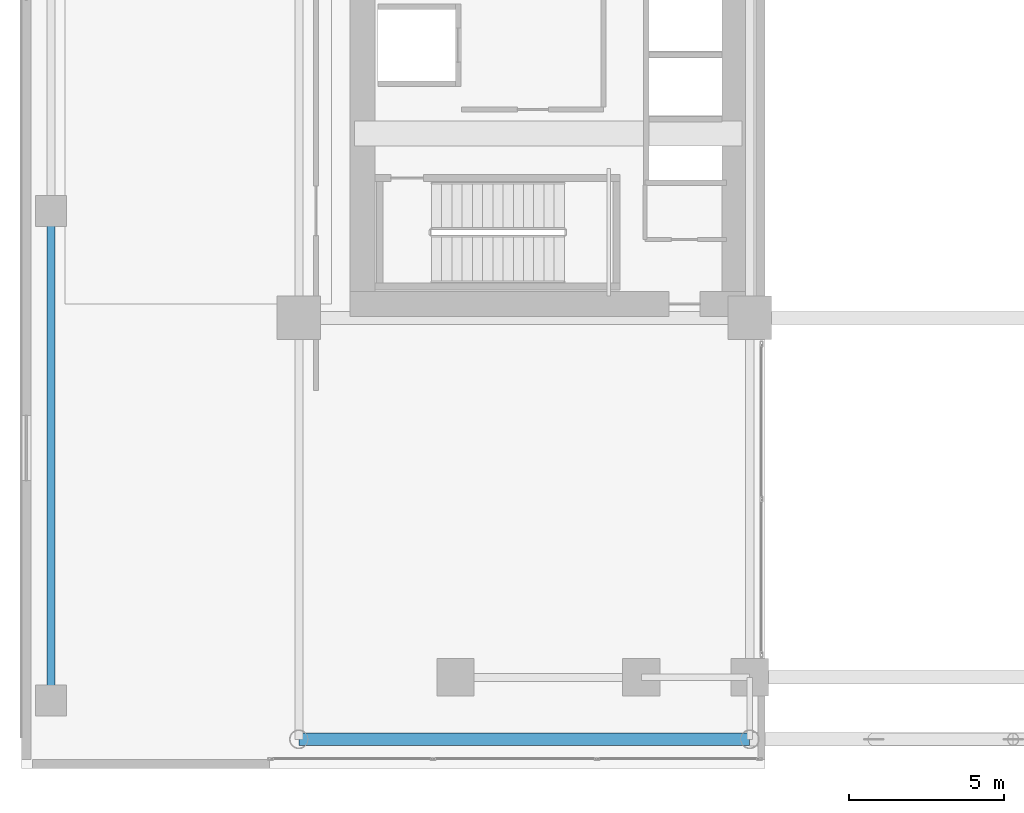
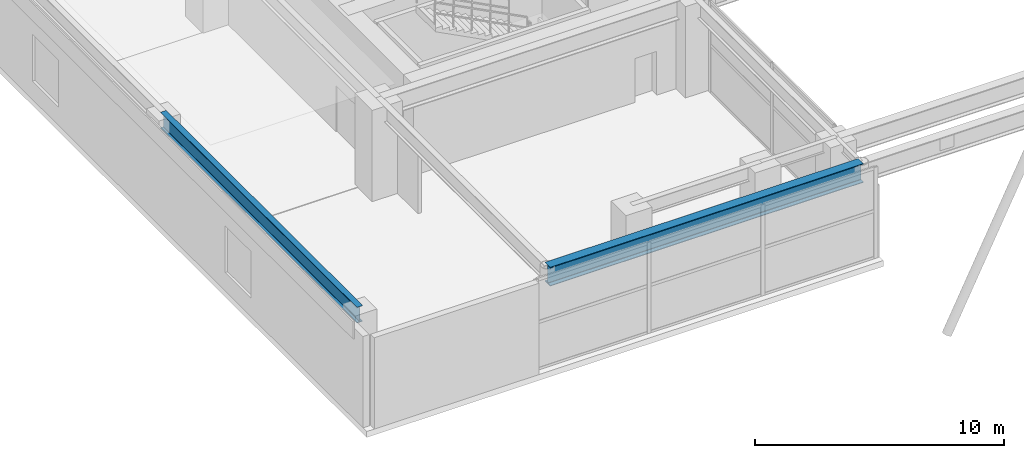
# One storey, part 4 of 30: 2 beams.
"""IFC4 building model written with IfcOpenShell, lengths in metres."""

import ifcopenshell
import ifcopenshell.guid

model = None  # the IFC model being written
_history = None  # IfcOwnerHistory: only IFC2X3 demands one
_inside = {}  # id of a spatial element -> (the spatial element, [elements in it])
_under = {}  # id of a project, library or spatial element -> (it, [spatial elements below it])
_declared = {}  # id of a project -> (the project, [libraries it declares])
_typed = {}  # id of a type object -> (the type object, [elements of that type])
_made_of = {}  # id of a material, layer set ... -> (it, [elements and type objects made of it])


def new_model(schema):
    """Start an empty IFC model of exactly this schema.

    Asked for "IFC4X3", IfcOpenShell would pick the latest addendum, in which some entities
    have other attributes; the version numbers below select the first issue.
    IFC2X3 requires an IfcOwnerHistory on every rooted entity: one is made here for all.
    """
    global model, _history
    if schema == "IFC4X3":
        model = ifcopenshell.file(schema_version=(4, 3, 0, 0))
    else:
        model = ifcopenshell.file(schema=schema)
    _inside.clear()
    _under.clear()
    _declared.clear()
    _typed.clear()
    _made_of.clear()
    _history = None
    if model.schema == "IFC2X3":
        org = make("IfcOrganization", Name="unknown")
        user = make(
            "IfcPersonAndOrganization",
            ThePerson=make("IfcPerson", FamilyName="unknown"),
            TheOrganization=org,
        )
        app = make(
            "IfcApplication",
            ApplicationDeveloper=org,
            Version="unknown",
            ApplicationFullName="unknown",
            ApplicationIdentifier="unknown",
        )
        _history = make(
            "IfcOwnerHistory",
            OwningUser=user,
            OwningApplication=app,
            ChangeAction="ADDED",
            CreationDate=0,
        )
    return model


def make(cls, **values):
    """One entity of the class cls with the attributes given. An attribute that is None is left unset."""
    return model.create_entity(
        cls, **{name: value for name, value in values.items() if value is not None}
    )


def rooted(cls, **values):
    """An entity with a GlobalId (a new one), such as an element, a storey or a relation."""
    return make(cls, GlobalId=ifcopenshell.guid.new(), OwnerHistory=_history, **values)


def si_unit(unit_type, name, prefix=None):
    """IfcSIUnit, for example si_unit("LENGTHUNIT", "METRE", prefix="MILLI")."""
    return make("IfcSIUnit", UnitType=unit_type, Prefix=prefix, Name=name)


def assignment(units):
    """IfcUnitAssignment: the units of a project."""
    return None if units is None else make("IfcUnitAssignment", Units=units)


def point(xyz):
    """IfcCartesianPoint."""
    return None if xyz is None else make("IfcCartesianPoint", Coordinates=xyz)


def direction(xyz):
    """IfcDirection."""
    return None if xyz is None else make("IfcDirection", DirectionRatios=xyz)


def frame(location, z_axis=None, x_axis=None):
    """IfcAxis2Placement3D, a coordinate frame: its origin and axes. An axis left out is left unset."""
    return make(
        "IfcAxis2Placement3D",
        Location=point(location),
        Axis=direction(z_axis),
        RefDirection=direction(x_axis),
    )


def frame_2d(location, x_axis=None):
    """IfcAxis2Placement2D, a coordinate frame in the plane: its origin and x axis."""
    return make(
        "IfcAxis2Placement2D", Location=point(location), RefDirection=direction(x_axis)
    )


def origin():
    """The frame at (0, 0, 0) with its axes left unset."""
    return frame((0.0, 0.0, 0.0))


def origin_2d():
    """The frame at (0, 0) in the plane with its x axis left unset."""
    return frame_2d((0.0, 0.0))


def place(relative_to, where):
    """IfcLocalPlacement: puts the frame where relative to a parent placement (None: the world)."""
    return make(
        "IfcLocalPlacement", PlacementRelTo=relative_to, RelativePlacement=where
    )


def context(
    kind, dimensions, precision=None, world=None, true_north=None, identifier=None
):
    """IfcGeometricRepresentationContext, for example the 3D "Model" context."""
    return make(
        "IfcGeometricRepresentationContext",
        ContextIdentifier=identifier,
        ContextType=kind,
        CoordinateSpaceDimension=dimensions,
        Precision=precision,
        WorldCoordinateSystem=world,
        TrueNorth=true_north,
    )


def subcontext(parent, identifier, kind, view, scale=None):
    """IfcGeometricRepresentationSubContext, for example "Body" below "Model"."""
    return make(
        "IfcGeometricRepresentationSubContext",
        ContextIdentifier=identifier,
        ContextType=kind,
        ParentContext=parent,
        TargetScale=scale,
        TargetView=view,
    )


def project(units=None, contexts=None):
    """IfcProject with its units and contexts."""
    return rooted(
        "IfcProject",
        Name="project",
        RepresentationContexts=contexts,
        UnitsInContext=assignment(units),
    )


def spatial(cls, under=None, at=None, **own):
    """A site, building, storey or space (cls), placed at a placement, below another one or the project."""
    s = rooted(cls, ObjectPlacement=at, **own)
    if under is not None:
        _under.setdefault(under.id(), (under, []))[1].append(s)
    return s


def profile(cls, at=None, kind="AREA", **sizes):
    """A parametric profile (cls). Its sizes go by their IFC names, for example OverallWidth=200.0."""
    return make(cls, ProfileType=kind, Position=at, **sizes)


def i_section(**sizes):
    """IfcIShapeProfileDef."""
    return profile("IfcIShapeProfileDef", **sizes)


def extrude(swept, where, along, depth):
    """IfcExtrudedAreaSolid: the profile swept, set in the frame where, extruded along a direction by depth."""
    return make(
        "IfcExtrudedAreaSolid",
        SweptArea=swept,
        Position=where,
        ExtrudedDirection=direction(along),
        Depth=depth,
    )


def shape(context_of_items, identifier, shape_type, items):
    """IfcShapeRepresentation: the items that make up one representation, for example the "Body"."""
    return make(
        "IfcShapeRepresentation",
        ContextOfItems=context_of_items,
        RepresentationIdentifier=identifier,
        RepresentationType=shape_type,
        Items=items,
    )


def source(mapping_origin, context_of_items, identifier, shape_type, items):
    """IfcRepresentationMap: a shape defined once, which mapped items show again and again."""
    return make(
        "IfcRepresentationMap",
        MappingOrigin=mapping_origin,
        MappedRepresentation=shape(context_of_items, identifier, shape_type, items),
    )


def transform(
    local_origin,
    x_axis=None,
    y_axis=None,
    z_axis=None,
    scale=None,
    scale2=None,
    scale3=None,
    uniform=True,
):
    """IfcCartesianTransformationOperator3D, or its non-uniform kind. x_axis, y_axis, z_axis: its Axis1, 2, 3."""
    if uniform:
        return make(
            "IfcCartesianTransformationOperator3D",
            Axis1=direction(x_axis),
            Axis2=direction(y_axis),
            LocalOrigin=point(local_origin),
            Scale=scale,
            Axis3=direction(z_axis),
        )
    return make(
        "IfcCartesianTransformationOperator3DnonUniform",
        Axis1=direction(x_axis),
        Axis2=direction(y_axis),
        LocalOrigin=point(local_origin),
        Scale=scale,
        Axis3=direction(z_axis),
        Scale2=scale2,
        Scale3=scale3,
    )


def mapped(mapping_source, mapping_target):
    """IfcMappedItem: shows the shape of a source again, moved by a transform."""
    return make(
        "IfcMappedItem", MappingSource=mapping_source, MappingTarget=mapping_target
    )


def material(Name=None, Category=None):
    """IfcMaterial."""
    return make("IfcMaterial", Name=Name, Category=Category)


def material_profile(
    of_material, cross_section, Name=None, Category=None, Priority=None
):
    """IfcMaterialProfile: a cross section and its material."""
    return make(
        "IfcMaterialProfile",
        Name=Name,
        Material=of_material,
        Profile=cross_section,
        Priority=Priority,
        Category=Category,
    )


def profile_set(profiles, Name=None, composite=None):
    """IfcMaterialProfileSet."""
    return make(
        "IfcMaterialProfileSet",
        Name=Name,
        MaterialProfiles=profiles,
        CompositeProfile=composite,
    )


def made_of(thing, what):
    """Note that an element or type object is made of a material, layer set ...; save() writes the relation."""
    if what is not None:
        _made_of.setdefault(what.id(), (what, []))[1].append(thing)
    return thing


def type_object(cls, material=None, **own):
    """A type object (cls), such as IfcWallType, which elements share."""
    return made_of(rooted(cls, **own), material)


def element(
    cls,
    number,
    at=None,
    inside=None,
    cuts=None,
    type_object=None,
    material=None,
    context=None,
    identifier="Body",
    shape_type=None,
    held_by="IfcProductDefinitionShape",
    body=None,
    shapes=None,
    **own,
):
    """One element of the class cls, such as IfcWall. Its Tag is "e" and its number.

    at: its placement. inside: the storey or other place that contains it. cuts: it is an
    opening in that element (IfcRelVoidsElement). A single representation is given by context,
    identifier, shape_type and body (its items); several are given by shapes. held_by: the class
    of the entity that holds the representations. save() writes the other relations.
    """
    e = rooted(cls, Tag="e%d" % number, ObjectPlacement=at, **own)
    if body is not None:
        shapes = [shape(context, identifier, shape_type, body)]
    if shapes is not None:
        e.Representation = make(held_by, Representations=shapes)
    if inside is not None:
        _inside.setdefault(inside.id(), (inside, []))[1].append(e)
    if cuts is not None:
        rooted(
            "IfcRelVoidsElement", RelatingBuildingElement=cuts, RelatedOpeningElement=e
        )
    if type_object is not None:
        _typed.setdefault(type_object.id(), (type_object, []))[1].append(e)
    return made_of(e, material)


def aggregate(whole, parts):
    """IfcRelAggregates: a whole, such as a stair, and the parts it consists of."""
    return rooted("IfcRelAggregates", RelatingObject=whole, RelatedObjects=parts)


def save(model, path):
    """Write the relations noted so far, then the file.

    IfcRelAggregates (storeys below a building ...), IfcRelContainedInSpatialStructure (elements
    in a storey), IfcRelDefinesByType, IfcRelAssociatesMaterial and IfcRelDeclares: one each for
    every whole, place, type object, material and project.
    """
    for whole, parts in _under.values():
        aggregate(whole, parts)
    for where, things in _inside.values():
        rooted(
            "IfcRelContainedInSpatialStructure",
            RelatedElements=things,
            RelatingStructure=where,
        )
    for kind, things in _typed.values():
        rooted("IfcRelDefinesByType", RelatedObjects=things, RelatingType=kind)
    for what, things in _made_of.values():
        rooted("IfcRelAssociatesMaterial", RelatedObjects=things, RelatingMaterial=what)
    for by, libraries in _declared.values():
        rooted("IfcRelDeclares", RelatingContext=by, RelatedDefinitions=libraries)
    model.write(path)


model = new_model("IFC4")

# Units and contexts
model_context = context("Model", 3, precision=1e-05, world=origin(), true_north=direction((0.0, 1.0)))
body_context = subcontext(model_context, "Body", "Model", "MODEL_VIEW")
ifc_project = project(units=[si_unit("LENGTHUNIT", "METRE"), si_unit("AREAUNIT", "SQUARE_METRE"), si_unit("VOLUMEUNIT", "CUBIC_METRE"), si_unit("PLANEANGLEUNIT", "RADIAN"), si_unit("MASSUNIT", "GRAM", prefix="KILO")], contexts=[model_context])

# Site, building, storey
site_placement = place(None, origin())
site = spatial("IfcSite", under=ifc_project, at=site_placement, CompositionType="ELEMENT")
building_placement = place(site_placement, origin())
building = spatial("IfcBuilding", under=site, at=building_placement, Name="Ocotamira Hotel", CompositionType="ELEMENT")
storey_placement = place(building_placement, frame((0.0, 0.0, 19.199951171875)))
storey = spatial("IfcBuildingStorey", under=building, at=storey_placement, Name="L04", CompositionType="ELEMENT", Elevation=19.199951171875)

# Beams
ifc_material = material(Name="Steel ASTM A992 Grade 50", Category="steel")
ifc_material_profile_1 = material_profile(ifc_material, i_section(OverallWidth=0.41796875, OverallDepth=0.927001953125, WebThickness=0.019287109375, FlangeThickness=0.031982421875, FilletRadius=0.02392578125, at=origin_2d()), Name="W36X231")
ifc_profile_set_1 = profile_set([ifc_material_profile_1], Name="Steel ASTM A992 Grade 50")
beam_type_1 = type_object("IfcBeamType", Name="BM-GIRD-W36X231", PredefinedType="BEAM", material=ifc_profile_set_1)
shared_shape_1 = source(origin(), body_context, "Body", "SweptSolid", [
    extrude(i_section(OverallWidth=0.41796875, OverallDepth=0.927001953125, WebThickness=0.019287109375, FlangeThickness=0.031982421875, FilletRadius=0.02392578125, at=origin_2d()), origin(), (0.0, 0.0, 1.0), 14.550048828125),
])
beam_1_placement = place(storey_placement, frame((8.949951171875, 0.949951171875, 4.0166015625), z_axis=(1.0, 0.0, 0.0), x_axis=(0.0, 1.0, 0.0)))
element("IfcBeam", 1, at=beam_1_placement, inside=storey, type_object=beam_type_1, Name="L04 Girder Y0.95 X8.95-23.5", PredefinedType="BEAM", context=body_context, shape_type="MappedRepresentation", body=[
    mapped(shared_shape_1, transform((0.0, 0.0, 0.0), scale=1.0)),
])
ifc_material_profile_2 = material_profile(ifc_material, i_section(OverallWidth=0.26611328125, OverallDepth=0.779052734375, WebThickness=0.0166015625, FlangeThickness=0.030029296875, FilletRadius=0.01806640625, at=origin_2d()), Name="W30X148")
ifc_profile_set_2 = profile_set([ifc_material_profile_2], Name="Steel ASTM A992 Grade 50")
beam_type_2 = type_object("IfcBeamType", Name="BM-GIRD-W30X148", PredefinedType="BEAM", material=ifc_profile_set_2)
shared_shape_2 = source(origin(), body_context, "Body", "SweptSolid", [
    extrude(i_section(OverallWidth=0.26611328125, OverallDepth=0.779052734375, WebThickness=0.0166015625, FlangeThickness=0.030029296875, FilletRadius=0.01806640625, at=origin_2d()), origin(), (0.0, 0.0, 1.0), 15.800048828125),
])
beam_2_placement = place(storey_placement, frame((0.949951171875, 2.199951171875, 4.090576171875), z_axis=(0.0, 1.0, 0.0), x_axis=(-1.0, 0.0, 0.0)))
element("IfcBeam", 2, at=beam_2_placement, inside=storey, type_object=beam_type_2, Name="L04 Beam X0.95 Y2.2-18", PredefinedType="BEAM", context=body_context, shape_type="MappedRepresentation", body=[
    mapped(shared_shape_2, transform((0.0, 0.0, 0.0), scale=1.0)),
])

save(model, "model.ifc")
